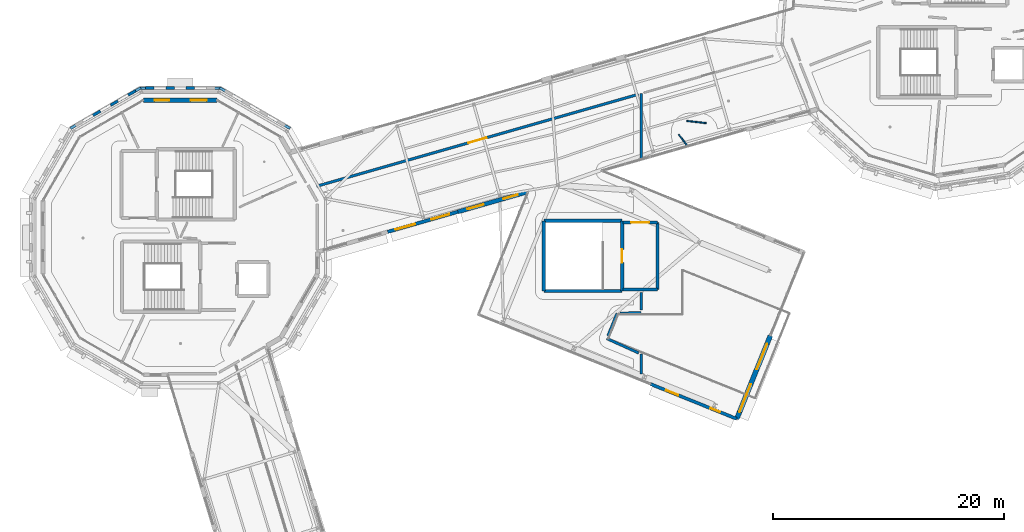
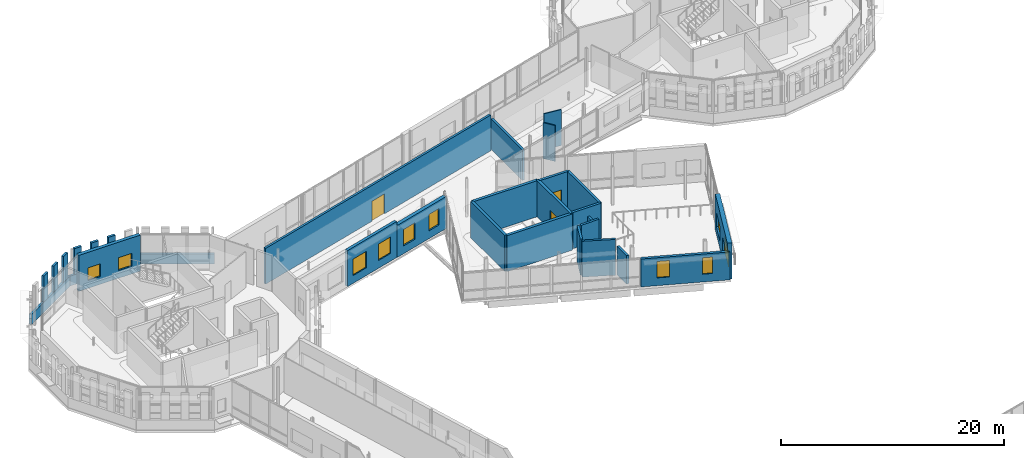
# One storey, part 94 of 125: 30 walls, 10 windows, 3 doors, 13 openings.
"""IFC4 building model written with IfcOpenShell, lengths in metres."""

from ifc_helpers import new_model, si_unit, direction, frame, frame_2d, origin, place, context, subcontext, project, spatial, rectangle, extrude, material, layer, layer_set, type_object, element, fill, save


model = new_model("IFC4")

# Units and contexts
model_context = context("Model", 3, precision=1e-05, world=origin(), true_north=direction((0.0, 1.0)))
body_context = subcontext(model_context, "Body", "Model", "MODEL_VIEW")
ifc_project = project(units=[si_unit("LENGTHUNIT", "METRE"), si_unit("AREAUNIT", "SQUARE_METRE"), si_unit("VOLUMEUNIT", "CUBIC_METRE"), si_unit("PLANEANGLEUNIT", "RADIAN"), si_unit("MASSUNIT", "GRAM", prefix="KILO")], contexts=[model_context])

# Site, building, storey
site_placement = place(None, origin())
site = spatial("IfcSite", under=ifc_project, at=site_placement, CompositionType="ELEMENT")
building_placement = place(site_placement, origin())
building = spatial("IfcBuilding", under=site, at=building_placement, Name="Wrenclough Park School", CompositionType="ELEMENT")
storey_placement = place(building_placement, frame((0.0, 0.0, 4.199951171875)))
storey = spatial("IfcBuildingStorey", under=building, at=storey_placement, Name="L01", CompositionType="ELEMENT", Elevation=4.199951171875)

# Walls
ifc_material_1 = material(Name="Perforated open-bond Staffordshire and Manchester brick screen pier", Category="masonry")
ifc_layer_1 = layer(ifc_material_1, 0.2451171875)
ifc_layer_set_1 = layer_set([ifc_layer_1], Name="Perforated open-bond Staffordshire and Manchester brick screen pier")
wall_type_1 = type_object("IfcWallType", Name="ENV-BS-PR245", PredefinedType="ELEMENTEDWALL", material=ifc_layer_set_1)
for number, where, z_axis, x_axis, name in (
    (1, (17.74951171875, 102.45654296875, 1.090087890625), (0.0, 0.0, 1.0), (-1.0, 0.0, 0.0), "D3 L01 perforated brick screen pier 0282"),
    (2, (15.989501953125, 102.45654296875, 1.090087890625), (0.0, 0.0, 1.0), (-1.0, 0.0, 0.0), "D3 L01 perforated brick screen pier 0283"),
    (3, (14.2294921875, 102.45654296875, 1.090087890625), (0.0, 0.0, 1.0), (-1.0, 0.0, 0.0), "D3 L01 perforated brick screen pier 0284"),
    (4, (12.6279296875, 102.2255859375, 1.090087890625), (0.0, 0.0, 1.0), (-0.865915952323, -0.500189527592, 0.0), "D3 L01 perforated brick screen pier 0285"),
):
    element("IfcWall", number, at=place(storey_placement, frame(where, z_axis=z_axis, x_axis=x_axis)), inside=storey, type_object=wall_type_1, Name=name, PredefinedType="ELEMENTEDWALL", context=body_context, shape_type="SweptSolid", body=[
        extrude(rectangle(XDim=0.739013671875, YDim=0.2451171875, at=frame_2d((0.36962890625, 0.0))), origin(), (0.0, 0.0, 1.0), 2.849853515625),
    ])
wall_1_placement = place(storey_placement, frame((11.103759765625, 101.345458984375, 1.090087890625), z_axis=(0.0, 0.0, 1.0), x_axis=(-0.866059033742, -0.499941746681, 0.0)))
element("IfcWall", 5, at=wall_1_placement, inside=storey, type_object=wall_type_1, Name="D3 L01 perforated brick screen pier 0286", PredefinedType="ELEMENTEDWALL", context=body_context, shape_type="SweptSolid", body=[
    extrude(rectangle(XDim=0.73876953125, YDim=0.2451171875, at=frame_2d((0.369384765625, 0.0))), origin(), (0.0, 0.0, 1.0), 2.849853515625),
])
wall_2_placement = place(storey_placement, frame((9.57958984375, 100.465576171875, 1.090087890625), z_axis=(0.0, 0.0, 1.0), x_axis=(-0.865915952323, -0.500189527592, 0.0)))
element("IfcWall", 6, at=wall_2_placement, inside=storey, type_object=wall_type_1, Name="D3 L01 perforated brick screen pier 0287", PredefinedType="ELEMENTEDWALL", context=body_context, shape_type="SweptSolid", body=[
    extrude(rectangle(XDim=0.739013671875, YDim=0.2451171875, at=frame_2d((0.36962890625, 0.0))), origin(), (0.0, 0.0, 1.0), 2.849853515625),
])
ifc_material_2 = material(Name="Open-bond Manchester multi-stock brick spandrel screen", Category="masonry")
ifc_layer_2 = layer(ifc_material_2, 0.22509765625)
ifc_layer_set_2 = layer_set([ifc_layer_2], Name="Open-bond Manchester multi-stock brick spandrel screen")
wall_type_2 = type_object("IfcWallType", Name="ENV-BS-SP225", PredefinedType="ELEMENTEDWALL", material=ifc_layer_set_2)
wall_3_placement = place(storey_placement, frame((26.026611328125, 98.960693359375, 0.0), z_axis=(0.0, 0.0, 1.0), x_axis=(-0.866019260715, 0.500010639957, 0.0)))
element("IfcWall", 7, at=wall_3_placement, inside=storey, type_object=wall_type_2, Name="D3 L01 open-bond brick screen spandrel 0075", PredefinedType="ELEMENTEDWALL", context=body_context, shape_type="SweptSolid", body=[
    extrude(rectangle(XDim=7.039794921875, YDim=0.22509765625, at=frame_2d((3.52001953125, 0.0))), origin(), (0.0, 0.0, 1.0), 1.090087890625),
])
wall_4_placement = place(storey_placement, frame((20.02001953125, 102.45654296875, 0.0), z_axis=(0.0, 0.0, 1.0), x_axis=(-1.0, 0.0, 0.0)))
element("IfcWall", 8, at=wall_4_placement, inside=storey, type_object=wall_type_2, Name="D3 L01 open-bond brick screen spandrel 0076", PredefinedType="ELEMENTEDWALL", context=body_context, shape_type="SweptSolid", body=[
    extrude(rectangle(XDim=7.0400390625, YDim=0.22509765625, at=frame_2d((3.52001953125, 0.0))), origin(), (0.0, 0.0, 1.0), 1.090087890625),
])
wall_5_placement = place(storey_placement, frame((13.070068359375, 102.480712890625, 0.0), z_axis=(0.0, 0.0, 1.0), x_axis=(-0.866019260715, -0.500010639957, 0.0)))
element("IfcWall", 9, at=wall_5_placement, inside=storey, type_object=wall_type_2, Name="D3 L01 open-bond brick screen spandrel 0077", PredefinedType="ELEMENTEDWALL", context=body_context, shape_type="SweptSolid", body=[
    extrude(rectangle(XDim=7.039794921875, YDim=0.22509765625, at=frame_2d((3.52001953125, 0.0))), origin(), (0.0, 0.0, 1.0), 1.090087890625),
])

# Wall, openings, windows
ifc_material_3 = material(Name="Link wing brick-faced cavity wall Concrete C32/40", Category="masonry")
ifc_layer_3 = layer(ifc_material_3, 0.27490234375)
ifc_layer_set_3 = layer_set([ifc_layer_3], Name="Link wing brick-faced cavity wall Concrete C32/40")
wall_type_3 = type_object("IfcWallType", Name="ENV-EW-275", PredefinedType="SOLIDWALL", material=ifc_layer_set_3)
wall_6_placement = place(storey_placement, frame((64.785888671875, 73.76123046875, 0.0), z_axis=(0.0, 0.0, 1.0), x_axis=(-0.927181096746, 0.374613419189, 0.0)))
wall_6 = element("IfcWall", 10, at=wall_6_placement, inside=storey, type_object=wall_type_3, Name="L01 insulated brick external wall 0126", PredefinedType="SOLIDWALL", context=body_context, shape_type="SweptSolid", body=[
    extrude(rectangle(XDim=8.05322265625, YDim=0.27490234375, at=frame_2d((4.026611328125, 0.0))), origin(), (0.0, 0.0, 1.0), 3.05712890625),
])
opening_1_placement = place(wall_6_placement, frame((1.563232421875, 0.0, 0.85009765625)))
opening_1 = element("IfcOpeningElement", 11, at=opening_1_placement, cuts=wall_6, Name="Opening WN-25", PredefinedType="OPENING", context=body_context, shape_type="SweptSolid", body=[
    extrude(rectangle(XDim=0.89990234375, YDim=1.800048828125, at=frame_2d((0.449951171875, 0.89990234375))), frame((0.0, 0.1474609375, 0.0), z_axis=(0.0, -1.0, 0.0), x_axis=(1.0, 0.0, 0.0)), (0.0, 0.0, 1.0), 0.294921875),
])
opening_2_placement = place(wall_6_placement, frame((5.465087890625, 0.0, 0.85009765625)))
opening_2 = element("IfcOpeningElement", 12, at=opening_2_placement, cuts=wall_6, Name="Opening WN-26", PredefinedType="OPENING", context=body_context, shape_type="SweptSolid", body=[
    extrude(rectangle(XDim=1.14990234375, YDim=1.800048828125, at=frame_2d((0.574951171875, 0.89990234375))), frame((0.0, 0.1474609375, 0.0), z_axis=(0.0, -1.0, 0.0), x_axis=(1.0, 0.0, 0.0)), (0.0, 0.0, 1.0), 0.294921875),
])
ifc_material_4 = material(Name="Thermally broken aluminium and double-glazed low-e glass", Category="aluminium")
window_type_1 = type_object("IfcWindowType", Name="ENV-WN-25", PartitioningType="SINGLE_PANEL", PredefinedType="WINDOW", material=ifc_material_4)
window_1_placement = place(opening_1_placement, origin())
window_1 = element("IfcWindow", 13, at=window_1_placement, inside=storey, type_object=window_type_1, Name="L01 scheduled facade window 0192", OverallHeight=1.800048828125, OverallWidth=0.89990234375, PartitioningType="SINGLE_PANEL", PredefinedType="WINDOW", context=body_context, shape_type="SweptSolid", body=[
    extrude(rectangle(XDim=0.89990234375, YDim=1.800048828125, at=frame_2d((0.449951171875, 0.89990234375))), frame((0.0, 0.030029296875, 0.0), z_axis=(0.0, -1.0, 0.0), x_axis=(1.0, 0.0, 0.0)), (0.0, 0.0, 1.0), 0.06005859375),
])
fill(opening_1, window_1)
window_type_2 = type_object("IfcWindowType", Name="ENV-WN-26", PartitioningType="SINGLE_PANEL", PredefinedType="WINDOW", material=ifc_material_4)
window_2_placement = place(opening_2_placement, origin())
window_2 = element("IfcWindow", 14, at=window_2_placement, inside=storey, type_object=window_type_2, Name="L01 scheduled facade window 0193", OverallHeight=1.800048828125, OverallWidth=1.14990234375, PartitioningType="SINGLE_PANEL", PredefinedType="WINDOW", context=body_context, shape_type="SweptSolid", body=[
    extrude(rectangle(XDim=1.14990234375, YDim=1.800048828125, at=frame_2d((0.574951171875, 0.89990234375))), frame((0.0, 0.030029296875, 0.0), z_axis=(0.0, -1.0, 0.0), x_axis=(1.0, 0.0, 0.0)), (0.0, 0.0, 1.0), 0.06005859375),
])
fill(opening_2, window_2)

ifc_material_5 = material(Name="Manchester multi-stock brick and Concrete C32/40 inner leaf", Category="masonry")
ifc_layer_4 = layer(ifc_material_5, 0.300048828125)
ifc_layer_set_4 = layer_set([ifc_layer_4], Name="Manchester multi-stock brick and Concrete C32/40 inner leaf")
wall_type_4 = type_object("IfcWallType", Name="ENV-EW-300", PredefinedType="SOLIDWALL", material=ifc_layer_set_4)
wall_7_placement = place(storey_placement, frame((40.59521484375, 91.72509765625, 0.0), z_axis=(0.0, 0.0, 1.0), x_axis=(-0.96151958719, -0.274736389017, 0.0)))
wall_7 = element("IfcWall", 15, at=wall_7_placement, inside=storey, type_object=wall_type_4, Name="L01 insulated brick external wall 0128", PredefinedType="SOLIDWALL", context=body_context, shape_type="SweptSolid", body=[
    extrude(rectangle(XDim=6.338623046875, YDim=0.300048828125, at=frame_2d((3.16943359375, 0.0))), origin(), (0.0, 0.0, 1.0), 3.93994140625),
])
opening_3_placement = place(wall_7_placement, frame((0.78466796875, 0.0, 0.85009765625)))
opening_3 = element("IfcOpeningElement", 16, at=opening_3_placement, cuts=wall_7, Name="Opening WN-29", PredefinedType="OPENING", context=body_context, shape_type="SweptSolid", body=[
    extrude(rectangle(XDim=1.60009765625, YDim=1.800048828125, at=frame_2d((0.800048828125, 0.89990234375))), frame((0.0, 0.159912109375, 0.0), z_axis=(0.0, -1.0, 0.0), x_axis=(1.0, 0.0, 0.0)), (0.0, 0.0, 1.0), 0.320068359375),
])
opening_4_placement = place(wall_7_placement, frame((3.87890625, 0.0, 0.85009765625)))
opening_4 = element("IfcOpeningElement", 17, at=opening_4_placement, cuts=wall_7, Name="Opening WN-30", PredefinedType="OPENING", context=body_context, shape_type="SweptSolid", body=[
    extrude(rectangle(XDim=1.75, YDim=1.800048828125, at=frame_2d((0.875, 0.89990234375))), frame((0.0, 0.159912109375, 0.0), z_axis=(0.0, -1.0, 0.0), x_axis=(1.0, 0.0, 0.0)), (0.0, 0.0, 1.0), 0.320068359375),
])
window_type_3 = type_object("IfcWindowType", Name="ENV-WN-29", PartitioningType="DOUBLE_PANEL_VERTICAL", PredefinedType="WINDOW", material=ifc_material_4)
window_3_placement = place(opening_3_placement, origin())
window_3 = element("IfcWindow", 18, at=window_3_placement, inside=storey, type_object=window_type_3, Name="L01 scheduled facade window 0196", OverallHeight=1.800048828125, OverallWidth=1.60009765625, PartitioningType="SINGLE_PANEL", PredefinedType="WINDOW", context=body_context, shape_type="SweptSolid", body=[
    extrude(rectangle(XDim=1.60009765625, YDim=1.800048828125, at=frame_2d((0.800048828125, 0.89990234375))), frame((0.0, 0.030029296875, 0.0), z_axis=(0.0, -1.0, 0.0), x_axis=(1.0, 0.0, 0.0)), (0.0, 0.0, 1.0), 0.06005859375),
])
fill(opening_3, window_3)
window_type_4 = type_object("IfcWindowType", Name="ENV-WN-30", PartitioningType="DOUBLE_PANEL_VERTICAL", PredefinedType="WINDOW", material=ifc_material_4)
window_4_placement = place(opening_4_placement, origin())
window_4 = element("IfcWindow", 19, at=window_4_placement, inside=storey, type_object=window_type_4, Name="L01 scheduled facade window 0197", OverallHeight=1.800048828125, OverallWidth=1.75, PartitioningType="SINGLE_PANEL", PredefinedType="WINDOW", context=body_context, shape_type="SweptSolid", body=[
    extrude(rectangle(XDim=1.75, YDim=1.800048828125, at=frame_2d((0.875, 0.89990234375))), frame((0.0, 0.030029296875, 0.0), z_axis=(0.0, -1.0, 0.0), x_axis=(1.0, 0.0, 0.0)), (0.0, 0.0, 1.0), 0.06005859375),
])
fill(opening_4, window_4)

ifc_material_6 = material(Name="Staffordshire blue-grey brick and Concrete C35/45 inner leaf", Category="masonry")
ifc_layer_5 = layer(ifc_material_6, 0.35009765625)
ifc_layer_set_5 = layer_set([ifc_layer_5], Name="Staffordshire blue-grey brick and Concrete C35/45 inner leaf")
wall_type_5 = type_object("IfcWallType", Name="ENV-EW-350", PredefinedType="SOLIDWALL", material=ifc_layer_set_5)
wall_8_placement = place(storey_placement, frame((13.309814453125, 101.40576171875, 0.0), z_axis=(0.0, 0.0, 1.0), x_axis=(1.0, 0.0, 0.0)))
wall_8 = element("IfcWall", 20, at=wall_8_placement, inside=storey, type_object=wall_type_5, Name="L01 insulated brick external wall 0082", PredefinedType="SOLIDWALL", context=body_context, shape_type="SweptSolid", body=[
    extrude(rectangle(XDim=6.38037109375, YDim=0.35009765625, at=frame_2d((3.190185546875, 0.0))), origin(), (0.0, 0.0, 1.0), 3.93994140625),
])
opening_5_placement = place(wall_8_placement, frame((0.97021484375, 0.0, 0.85009765625)))
opening_5 = element("IfcOpeningElement", 21, at=opening_5_placement, cuts=wall_8, Name="Opening WN-04", PredefinedType="OPENING", context=body_context, shape_type="SweptSolid", body=[
    extrude(rectangle(XDim=1.25, YDim=1.39990234375, at=frame_2d((0.625, 0.699951171875))), frame((0.0, 0.18505859375, 0.0), z_axis=(0.0, -1.0, 0.0), x_axis=(1.0, 0.0, 0.0)), (0.0, 0.0, 1.0), 0.3701171875),
])
opening_6_placement = place(wall_8_placement, frame((4.085205078125, 0.0, 0.85009765625)))
opening_6 = element("IfcOpeningElement", 22, at=opening_6_placement, cuts=wall_8, Name="Opening WN-05", PredefinedType="OPENING", context=body_context, shape_type="SweptSolid", body=[
    extrude(rectangle(XDim=1.39990234375, YDim=1.39990234375, at=frame_2d((0.699951171875, 0.699951171875))), frame((0.0, 0.18505859375, 0.0), z_axis=(0.0, -1.0, 0.0), x_axis=(1.0, 0.0, 0.0)), (0.0, 0.0, 1.0), 0.3701171875),
])
window_type_5 = type_object("IfcWindowType", Name="ENV-WN-04", PartitioningType="SINGLE_PANEL", PredefinedType="WINDOW", material=ifc_material_4)
window_5_placement = place(opening_5_placement, origin())
window_5 = element("IfcWindow", 23, at=window_5_placement, inside=storey, type_object=window_type_5, Name="L01 scheduled facade window 0115", OverallHeight=1.39990234375, OverallWidth=1.25, PartitioningType="SINGLE_PANEL", PredefinedType="WINDOW", context=body_context, shape_type="SweptSolid", body=[
    extrude(rectangle(XDim=1.25, YDim=1.39990234375, at=frame_2d((0.625, 0.699951171875))), frame((0.0, 0.030029296875, 0.0), z_axis=(0.0, -1.0, 0.0), x_axis=(1.0, 0.0, 0.0)), (0.0, 0.0, 1.0), 0.06005859375),
])
fill(opening_5, window_5)
window_type_6 = type_object("IfcWindowType", Name="ENV-WN-05", PartitioningType="SINGLE_PANEL", PredefinedType="WINDOW", material=ifc_material_4)
window_6_placement = place(opening_6_placement, origin())
window_6 = element("IfcWindow", 24, at=window_6_placement, inside=storey, type_object=window_type_6, Name="L01 scheduled facade window 0116", OverallHeight=1.39990234375, OverallWidth=1.39990234375, PartitioningType="SINGLE_PANEL", PredefinedType="WINDOW", context=body_context, shape_type="SweptSolid", body=[
    extrude(rectangle(XDim=1.39990234375, YDim=1.39990234375, at=frame_2d((0.699951171875, 0.699951171875))), frame((0.0, 0.030029296875, 0.0), z_axis=(0.0, -1.0, 0.0), x_axis=(1.0, 0.0, 0.0)), (0.0, 0.0, 1.0), 0.06005859375),
])
fill(opening_6, window_6)

ifc_material_7 = material(Name="Faceted courtyard brick-cavity wall Concrete C35/45", Category="masonry")
ifc_layer_6 = layer(ifc_material_7, 0.364990234375)
ifc_layer_set_6 = layer_set([ifc_layer_6], Name="Faceted courtyard brick-cavity wall Concrete C35/45")
wall_type_6 = type_object("IfcWallType", Name="ENV-EW-365", PredefinedType="SOLIDWALL", material=ifc_layer_set_6)
wall_9_placement = place(storey_placement, frame((46.68994140625, 93.46630859375, 0.0), z_axis=(0.0, 0.0, 1.0), x_axis=(-0.96152976126, -0.274700779415, 0.0)))
wall_9 = element("IfcWall", 25, at=wall_9_placement, inside=storey, type_object=wall_type_6, Name="L01 insulated brick external wall 0127", PredefinedType="SOLIDWALL", context=body_context, shape_type="SweptSolid", body=[
    extrude(rectangle(XDim=6.338623046875, YDim=0.364990234375, at=frame_2d((3.16943359375, 0.0))), origin(), (0.0, 0.0, 1.0), 3.503662109375),
])
opening_7_placement = place(wall_9_placement, frame((0.9345703125, 0.0, 0.85009765625)))
opening_7 = element("IfcOpeningElement", 26, at=opening_7_placement, cuts=wall_9, Name="Opening WN-27", PredefinedType="OPENING", context=body_context, shape_type="SweptSolid", body=[
    extrude(rectangle(XDim=1.300048828125, YDim=1.800048828125, at=frame_2d((0.64990234375, 0.89990234375))), frame((0.0, 0.1923828125, 0.0), z_axis=(0.0, -1.0, 0.0), x_axis=(1.0, 0.0, 0.0)), (0.0, 0.0, 1.0), 0.385009765625),
])
opening_8_placement = place(wall_9_placement, frame((4.02880859375, 0.0, 0.85009765625)))
opening_8 = element("IfcOpeningElement", 27, at=opening_8_placement, cuts=wall_9, Name="Opening WN-28", PredefinedType="OPENING", context=body_context, shape_type="SweptSolid", body=[
    extrude(rectangle(XDim=1.449951171875, YDim=1.800048828125, at=frame_2d((0.72509765625, 0.89990234375))), frame((0.0, 0.1923828125, 0.0), z_axis=(0.0, -1.0, 0.0), x_axis=(1.0, 0.0, 0.0)), (0.0, 0.0, 1.0), 0.385009765625),
])
window_type_7 = type_object("IfcWindowType", Name="ENV-WN-27", PartitioningType="SINGLE_PANEL", PredefinedType="WINDOW", material=ifc_material_4)
window_7_placement = place(opening_7_placement, origin())
window_7 = element("IfcWindow", 28, at=window_7_placement, inside=storey, type_object=window_type_7, Name="L01 scheduled facade window 0194", OverallHeight=1.800048828125, OverallWidth=1.300048828125, PartitioningType="SINGLE_PANEL", PredefinedType="WINDOW", context=body_context, shape_type="SweptSolid", body=[
    extrude(rectangle(XDim=1.300048828125, YDim=1.800048828125, at=frame_2d((0.64990234375, 0.89990234375))), frame((0.0, 0.030029296875, 0.0), z_axis=(0.0, -1.0, 0.0), x_axis=(1.0, 0.0, 0.0)), (0.0, 0.0, 1.0), 0.06005859375),
])
fill(opening_7, window_7)
window_type_8 = type_object("IfcWindowType", Name="ENV-WN-28", PartitioningType="SINGLE_PANEL", PredefinedType="WINDOW", material=ifc_material_4)
window_8_placement = place(opening_8_placement, origin())
window_8 = element("IfcWindow", 29, at=window_8_placement, inside=storey, type_object=window_type_8, Name="L01 scheduled facade window 0195", OverallHeight=1.800048828125, OverallWidth=1.449951171875, PartitioningType="SINGLE_PANEL", PredefinedType="WINDOW", context=body_context, shape_type="SweptSolid", body=[
    extrude(rectangle(XDim=1.449951171875, YDim=1.800048828125, at=frame_2d((0.72509765625, 0.89990234375))), frame((0.0, 0.030029296875, 0.0), z_axis=(0.0, -1.0, 0.0), x_axis=(1.0, 0.0, 0.0)), (0.0, 0.0, 1.0), 0.06005859375),
])
fill(opening_8, window_8)

ifc_material_8 = material(Name="Insulated brick-clad sports hall wall Concrete C40/50", Category="masonry")
ifc_layer_7 = layer(ifc_material_8, 0.425048828125)
ifc_layer_set_7 = layer_set([ifc_layer_7], Name="Insulated brick-clad sports hall wall Concrete C40/50")
wall_type_7 = type_object("IfcWallType", Name="ENV-EW-425", PredefinedType="SOLIDWALL", material=ifc_layer_set_7)
wall_10_placement = place(storey_placement, frame((67.700439453125, 80.974853515625, 0.0), z_axis=(0.0, 0.0, 1.0), x_axis=(-0.374612989638, -0.9271812703, 0.0)))
wall_10 = element("IfcWall", 30, at=wall_10_placement, inside=storey, type_object=wall_type_7, Name="L01 insulated brick external wall 0125", PredefinedType="SOLIDWALL", context=body_context, shape_type="SweptSolid", body=[
    extrude(rectangle(XDim=7.7802734375, YDim=0.425048828125, at=frame_2d((3.89013671875, 0.0))), origin(), (0.0, 0.0, 1.0), 3.93994140625),
])
opening_9_placement = place(wall_10_placement, frame((0.7451171875, 0.0, 0.85009765625)))
opening_9 = element("IfcOpeningElement", 31, at=opening_9_placement, cuts=wall_10, Name="Opening WN-23", PredefinedType="OPENING", context=body_context, shape_type="SweptSolid", body=[
    extrude(rectangle(XDim=2.39990234375, YDim=1.60009765625, at=frame_2d((1.199951171875, 0.800048828125))), frame((0.0, 0.222412109375, 0.0), z_axis=(0.0, -1.0, 0.0), x_axis=(1.0, 0.0, 0.0)), (0.0, 0.0, 1.0), 0.445068359375),
])
opening_10_placement = place(wall_10_placement, frame((4.534912109375, 0.0, 0.85009765625)))
opening_10 = element("IfcOpeningElement", 32, at=opening_10_placement, cuts=wall_10, Name="Opening WN-24", PredefinedType="OPENING", context=body_context, shape_type="SweptSolid", body=[
    extrude(rectangle(XDim=2.60009765625, YDim=1.60009765625, at=frame_2d((1.300048828125, 0.800048828125))), frame((0.0, 0.222412109375, 0.0), z_axis=(0.0, -1.0, 0.0), x_axis=(1.0, 0.0, 0.0)), (0.0, 0.0, 1.0), 0.445068359375),
])
window_type_9 = type_object("IfcWindowType", Name="ENV-WN-23", PartitioningType="DOUBLE_PANEL_VERTICAL", PredefinedType="WINDOW", material=ifc_material_4)
window_9_placement = place(opening_9_placement, origin())
window_9 = element("IfcWindow", 33, at=window_9_placement, inside=storey, type_object=window_type_9, Name="L01 scheduled facade window 0190", OverallHeight=1.60009765625, OverallWidth=2.39990234375, PartitioningType="SINGLE_PANEL", PredefinedType="WINDOW", context=body_context, shape_type="SweptSolid", body=[
    extrude(rectangle(XDim=2.39990234375, YDim=1.60009765625, at=frame_2d((1.199951171875, 0.800048828125))), frame((0.0, 0.030029296875, 0.0), z_axis=(0.0, -1.0, 0.0), x_axis=(1.0, 0.0, 0.0)), (0.0, 0.0, 1.0), 0.06005859375),
])
fill(opening_9, window_9)
window_type_10 = type_object("IfcWindowType", Name="ENV-WN-24", PartitioningType="DOUBLE_PANEL_VERTICAL", PredefinedType="WINDOW", material=ifc_material_4)
window_10_placement = place(opening_10_placement, origin())
window_10 = element("IfcWindow", 34, at=window_10_placement, inside=storey, type_object=window_type_10, Name="L01 scheduled facade window 0191", OverallHeight=1.60009765625, OverallWidth=2.60009765625, PartitioningType="SINGLE_PANEL", PredefinedType="WINDOW", context=body_context, shape_type="SweptSolid", body=[
    extrude(rectangle(XDim=2.60009765625, YDim=1.60009765625, at=frame_2d((1.300048828125, 0.800048828125))), frame((0.0, 0.030029296875, 0.0), z_axis=(0.0, -1.0, 0.0), x_axis=(1.0, 0.0, 0.0)), (0.0, 0.0, 1.0), 0.06005859375),
])
fill(opening_10, window_10)

# Walls
ifc_material_9 = material(Name="Concrete C35/45", Category="concrete")
ifc_layer_8 = layer(ifc_material_9, 0.25)
ifc_layer_set_8 = layer_set([ifc_layer_8], Name="Concrete C35/45")
wall_type_8 = type_object("IfcWallType", Name="INT-CW-250", PredefinedType="SHEAR", material=ifc_layer_set_8)
wall_11_placement = place(storey_placement, frame((54.89990234375, 85.0, 0.0), z_axis=(0.0, 0.0, 1.0), x_axis=(1.0, 0.0, 0.0)))
element("IfcWall", 35, at=wall_11_placement, inside=storey, type_object=wall_type_8, Name="Core C8 L01 lobby fire wall south", PredefinedType="SHEAR", context=body_context, shape_type="SweptSolid", body=[
    extrude(rectangle(XDim=3.0, YDim=0.25, at=frame_2d((1.5, 0.0))), origin(), (0.0, 0.0, 1.0), 3.949951171875),
])
wall_12_placement = place(storey_placement, frame((57.89990234375, 85.0, 0.0), z_axis=(0.0, 0.0, 1.0), x_axis=(0.0, 1.0, 0.0)))
element("IfcWall", 36, at=wall_12_placement, inside=storey, type_object=wall_type_8, Name="Core C8 L01 lobby fire wall east", PredefinedType="SHEAR", context=body_context, shape_type="SweptSolid", body=[
    extrude(rectangle(XDim=5.800048828125, YDim=0.25, at=frame_2d((2.89990234375, 0.0))), origin(), (0.0, 0.0, 1.0), 3.949951171875),
])

# Wall, opening, door
wall_13_placement = place(storey_placement, frame((57.89990234375, 90.800048828125, 0.0), z_axis=(0.0, 0.0, 1.0), x_axis=(-1.0, 0.0, 0.0)))
wall_13 = element("IfcWall", 37, at=wall_13_placement, inside=storey, type_object=wall_type_8, Name="Core C8 L01 lobby fire wall north", PredefinedType="SHEAR", context=body_context, shape_type="SweptSolid", body=[
    extrude(rectangle(XDim=3.0, YDim=0.25, at=frame_2d((1.5, 0.0))), origin(), (0.0, 0.0, 1.0), 3.949951171875),
])
opening_11_placement = place(wall_13_placement, frame((0.72509765625, 0.0, 0.0)))
opening_11 = element("IfcOpeningElement", 38, at=opening_11_placement, cuts=wall_13, Name="Opening DLB-C8-L01", PredefinedType="OPENING", context=body_context, shape_type="SweptSolid", body=[
    extrude(rectangle(XDim=1.550048828125, YDim=2.14990234375, at=frame_2d((0.77490234375, 1.074951171875))), frame((0.0, 0.135009765625, 0.0), z_axis=(0.0, -1.0, 0.0), x_axis=(1.0, 0.0, 0.0)), (0.0, 0.0, 1.0), 0.27001953125),
])
ifc_material_10 = material(Name="Protected stair lobby double fire door assembly", Category="wood")
door_type_1 = type_object("IfcDoorType", Name="INT-DR-LB155", OperationType="NOTDEFINED", PredefinedType="DOOR", material=ifc_material_10)
door_1_placement = place(opening_11_placement, origin())
door_1 = element("IfcDoor", 39, at=door_1_placement, inside=storey, type_object=door_type_1, Name="Core C8 L01 protected lobby fire door", OperationType="DOUBLE_DOOR_SINGLE_SWING", OverallHeight=2.14990234375, OverallWidth=1.550048828125, PredefinedType="DOOR", context=body_context, shape_type="SweptSolid", body=[
    extrude(rectangle(XDim=1.550048828125, YDim=2.14990234375, at=frame_2d((0.77490234375, 1.074951171875))), frame((0.0, 0.02490234375, 0.0), z_axis=(0.0, -1.0, 0.0), x_axis=(1.0, 0.0, 0.0)), (0.0, 0.0, 1.0), 0.050048828125),
])
fill(opening_11, door_1)

# Wall
ifc_material_11 = material(Name="Concrete C40/50", Category="concrete")
ifc_layer_9 = layer(ifc_material_11, 0.2900390625)
ifc_layer_set_9 = layer_set([ifc_layer_9], Name="Concrete C40/50")
wall_type_9 = type_object("IfcWallType", Name="INT-CW-290", PredefinedType="SHEAR", material=ifc_layer_set_9)
wall_14_placement = place(storey_placement, frame((48.054931640625, 84.85498046875, 0.0), z_axis=(0.0, 0.0, 1.0), x_axis=(1.0, 0.0, 0.0)))
element("IfcWall", 40, at=wall_14_placement, inside=storey, type_object=wall_type_9, Name="Core C8 L01 south shear wall", PredefinedType="SHEAR", context=body_context, shape_type="SweptSolid", body=[
    extrude(rectangle(XDim=6.7900390625, YDim=0.2900390625, at=frame_2d((3.39501953125, 0.0))), origin(), (0.0, 0.0, 1.0), 3.949951171875),
])

# Wall, opening, door
wall_15_placement = place(storey_placement, frame((54.844970703125, 84.85498046875, 0.0), z_axis=(0.0, 0.0, 1.0), x_axis=(0.0, 1.0, 0.0)))
wall_15 = element("IfcWall", 41, at=wall_15_placement, inside=storey, type_object=wall_type_9, Name="Core C8 L01 east shear wall", PredefinedType="SHEAR", context=body_context, shape_type="SweptSolid", body=[
    extrude(rectangle(XDim=6.090087890625, YDim=0.2900390625, at=frame_2d((3.044921875, 0.0))), origin(), (0.0, 0.0, 1.0), 3.949951171875),
])
opening_12_placement = place(wall_15_placement, frame((2.469970703125, 0.0, 0.0)))
opening_12 = element("IfcOpeningElement", 42, at=opening_12_placement, cuts=wall_15, Name="Opening DST-C8-L01", PredefinedType="OPENING", context=body_context, shape_type="SweptSolid", body=[
    extrude(rectangle(XDim=1.14990234375, YDim=2.10009765625, at=frame_2d((0.574951171875, 1.050048828125))), frame((0.0, 0.155029296875, 0.0), z_axis=(0.0, -1.0, 0.0), x_axis=(1.0, 0.0, 0.0)), (0.0, 0.0, 1.0), 0.31005859375),
])
ifc_material_12 = material(Name="Protected escape stair single fire door assembly", Category="wood")
door_type_2 = type_object("IfcDoorType", Name="INT-DR-ST115", OperationType="NOTDEFINED", PredefinedType="DOOR", material=ifc_material_12)
door_2_placement = place(opening_12_placement, origin())
door_2 = element("IfcDoor", 43, at=door_2_placement, inside=storey, type_object=door_type_2, Name="Stair ST-11 L01 fire door", OperationType="SINGLE_SWING_RIGHT", OverallHeight=2.10009765625, OverallWidth=1.14990234375, PredefinedType="DOOR", context=body_context, shape_type="SweptSolid", body=[
    extrude(rectangle(XDim=1.14990234375, YDim=2.10009765625, at=frame_2d((0.574951171875, 1.050048828125))), frame((0.0, 0.02490234375, 0.0), z_axis=(0.0, -1.0, 0.0), x_axis=(1.0, 0.0, 0.0)), (0.0, 0.0, 1.0), 0.050048828125),
])
fill(opening_12, door_2)

# Walls
wall_16_placement = place(storey_placement, frame((54.844970703125, 90.945068359375, 0.0), z_axis=(0.0, 0.0, 1.0), x_axis=(-1.0, 0.0, 0.0)))
element("IfcWall", 44, at=wall_16_placement, inside=storey, type_object=wall_type_9, Name="Core C8 L01 north shear wall", PredefinedType="SHEAR", context=body_context, shape_type="SweptSolid", body=[
    extrude(rectangle(XDim=6.7900390625, YDim=0.2900390625, at=frame_2d((3.39501953125, 0.0))), origin(), (0.0, 0.0, 1.0), 3.949951171875),
])
wall_17_placement = place(storey_placement, frame((48.054931640625, 90.945068359375, 0.0), z_axis=(0.0, 0.0, 1.0), x_axis=(0.0, -1.0, 0.0)))
element("IfcWall", 45, at=wall_17_placement, inside=storey, type_object=wall_type_9, Name="Core C8 L01 west shear wall", PredefinedType="SHEAR", context=body_context, shape_type="SweptSolid", body=[
    extrude(rectangle(XDim=6.090087890625, YDim=0.2900390625, at=frame_2d((3.044921875, 0.0))), origin(), (0.0, 0.0, 1.0), 3.949951171875),
])
ifc_material_13 = material(Name="Lightweight fire-rated store partition", Category="gypsum")
ifc_layer_10 = layer(ifc_material_13, 0.110107421875)
ifc_layer_set_10 = layer_set([ifc_layer_10], Name="Lightweight fire-rated store partition")
wall_type_10 = type_object("IfcWallType", Name="INT-PW-110", PredefinedType="PARTITIONING", material=ifc_layer_set_10)
wall_18_placement = place(storey_placement, frame((60.45556640625, 97.50341796875, 0.0), z_axis=(0.0, 0.0, 1.0), x_axis=(-0.602732771997, 0.797943109225, 0.0)))
element("IfcWall", 46, at=wall_18_placement, inside=storey, type_object=wall_type_10, Name="L01 internal partition 0295", PredefinedType="PARTITIONING", context=body_context, shape_type="SweptSolid", body=[
    extrude(rectangle(XDim=1.170654296875, YDim=0.110107421875, at=frame_2d((0.58544921875, 0.0))), origin(), (0.0, 0.0, 1.0), 3.929931640625),
])
wall_19_placement = place(storey_placement, frame((60.459716796875, 99.609375, 0.0), z_axis=(0.0, 0.0, 1.0), x_axis=(0.993688525014, -0.112174485761, 0.0)))
element("IfcWall", 47, at=wall_19_placement, inside=storey, type_object=wall_type_10, Name="L01 internal partition 0296", PredefinedType="PARTITIONING", context=body_context, shape_type="SweptSolid", body=[
    extrude(rectangle(XDim=1.706298828125, YDim=0.110107421875, at=frame_2d((0.85302734375, 0.0))), origin(), (0.0, 0.0, 1.0), 3.929931640625),
])
ifc_material_14 = material(Name="Twin-frame acoustic gypsum board 60 dB Rw", Category="gypsum")
ifc_layer_11 = layer(ifc_material_14, 0.22509765625)
ifc_layer_set_11 = layer_set([ifc_layer_11], Name="Twin-frame acoustic gypsum board 60 dB Rw")
wall_type_11 = type_object("IfcWallType", Name="INT-PW-225", PredefinedType="PARTITIONING", material=ifc_layer_set_11)
wall_20_placement = place(storey_placement, frame((56.5, 77.67529296875, 0.0), z_axis=(0.0, 0.0, 1.0), x_axis=(0.0, 1.0, 0.0)))
element("IfcWall", 48, at=wall_20_placement, inside=storey, type_object=wall_type_11, Name="L01 internal partition 0285", PredefinedType="PARTITIONING", context=body_context, shape_type="SweptSolid", body=[
    extrude(rectangle(XDim=1.701416015625, YDim=0.22509765625, at=frame_2d((0.8505859375, 0.0))), origin(), (0.0, 0.0, 1.0), 3.116455078125),
])
wall_21_placement = place(storey_placement, frame((56.2724609375, 79.479736328125, 0.0), z_axis=(0.0, 0.0, 1.0), x_axis=(-0.910865558545, 0.412703203593, 0.0)))
element("IfcWall", 49, at=wall_21_placement, inside=storey, type_object=wall_type_11, Name="L01 internal partition 0286", PredefinedType="PARTITIONING", context=body_context, shape_type="SweptSolid", body=[
    extrude(rectangle(XDim=3.0283203125, YDim=0.22509765625, at=frame_2d((1.51416015625, 0.0))), origin(), (0.0, 0.0, 1.0), 3.9150390625),
])
wall_22_placement = place(storey_placement, frame((53.608642578125, 80.96044921875, 0.0), z_axis=(0.0, 0.0, 1.0), x_axis=(0.378421694042, 0.925633308324, 0.0)))
element("IfcWall", 50, at=wall_22_placement, inside=storey, type_object=wall_type_11, Name="L01 internal partition 0287", PredefinedType="PARTITIONING", context=body_context, shape_type="SweptSolid", body=[
    extrude(rectangle(XDim=2.1162109375, YDim=0.22509765625, at=frame_2d((1.05810546875, 0.0))), origin(), (0.0, 0.0, 1.0), 3.9150390625),
])
wall_23_placement = place(storey_placement, frame((54.6591796875, 82.92529296875, 0.0), z_axis=(0.0, 0.0, 1.0), x_axis=(0.999705600089, 0.024263411779, 0.0)))
element("IfcWall", 51, at=wall_23_placement, inside=storey, type_object=wall_type_11, Name="L01 internal partition 0288", PredefinedType="PARTITIONING", context=body_context, shape_type="SweptSolid", body=[
    extrude(rectangle(XDim=1.84130859375, YDim=0.22509765625, at=frame_2d((0.920654296875, 0.0))), origin(), (0.0, 0.0, 1.0), 3.9150390625),
])
wall_24_placement = place(storey_placement, frame((56.5, 83.2197265625, 0.0), z_axis=(0.0, 0.0, 1.0), x_axis=(0.0, 1.0, 0.0)))
element("IfcWall", 52, at=wall_24_placement, inside=storey, type_object=wall_type_11, Name="L01 internal partition 0289", PredefinedType="PARTITIONING", context=body_context, shape_type="SweptSolid", body=[
    extrude(rectangle(XDim=1.502685546875, YDim=0.22509765625, at=frame_2d((0.75146484375, 0.0))), origin(), (0.0, 0.0, 1.0), 3.116455078125),
])
wall_25_placement = place(storey_placement, frame((56.5, 96.373291015625, 0.0), z_axis=(0.0, 0.0, 1.0), x_axis=(0.0, 1.0, 0.0)))
element("IfcWall", 53, at=wall_25_placement, inside=storey, type_object=wall_type_11, Name="L01 internal partition 0290", PredefinedType="PARTITIONING", context=body_context, shape_type="SweptSolid", body=[
    extrude(rectangle(XDim=5.6162109375, YDim=0.22509765625, at=frame_2d((2.80810546875, 0.0))), origin(), (0.0, 0.0, 1.0), 3.33984375),
])

# Wall, opening, door
wall_26_placement = place(storey_placement, frame((56.25, 101.91796875, 0.0), z_axis=(0.0, 0.0, 1.0), x_axis=(-0.961523630251, -0.274722238759, 0.0)))
wall_26 = element("IfcWall", 54, at=wall_26_placement, inside=storey, type_object=wall_type_11, Name="L01 internal partition 0291", PredefinedType="PARTITIONING", context=body_context, shape_type="SweptSolid", body=[
    extrude(rectangle(XDim=29.027099609375, YDim=0.22509765625, at=frame_2d((14.513671875, 0.0))), origin(), (0.0, 0.0, 1.0), 3.9150390625),
])
opening_13_placement = place(wall_26_placement, frame((13.70361328125, 0.0, 0.0)))
opening_13 = element("IfcOpeningElement", 55, at=opening_13_placement, cuts=wall_26, Name="Opening DR-L01-054", PredefinedType="OPENING", context=body_context, shape_type="SweptSolid", body=[
    extrude(rectangle(XDim=1.6201171875, YDim=2.179931640625, at=frame_2d((0.81005859375, 1.08984375))), frame((0.0, 0.12255859375, 0.0), z_axis=(0.0, -1.0, 0.0), x_axis=(1.0, 0.0, 0.0)), (0.0, 0.0, 1.0), 0.2451171875),
])
ifc_material_15 = material(Name="Acoustic music and drama studio double door assembly", Category="wood")
door_type_3 = type_object("IfcDoorType", Name="INT-DR-STU162", OperationType="NOTDEFINED", PredefinedType="DOOR", material=ifc_material_15)
door_3_placement = place(opening_13_placement, origin())
door_3 = element("IfcDoor", 56, at=door_3_placement, inside=storey, type_object=door_type_3, Name="Agora Music Recital Gallery door DR-L01-054", OperationType="DOUBLE_DOOR_SINGLE_SWING", OverallHeight=2.179931640625, OverallWidth=1.6201171875, PredefinedType="DOOR", context=body_context, shape_type="SweptSolid", body=[
    extrude(rectangle(XDim=1.6201171875, YDim=2.179931640625, at=frame_2d((0.81005859375, 1.08984375))), frame((0.0, 0.02490234375, 0.0), z_axis=(0.0, -1.0, 0.0), x_axis=(1.0, 0.0, 0.0)), (0.0, 0.0, 1.0), 0.050048828125),
])
fill(opening_13, door_3)

save(model, "model.ifc")
